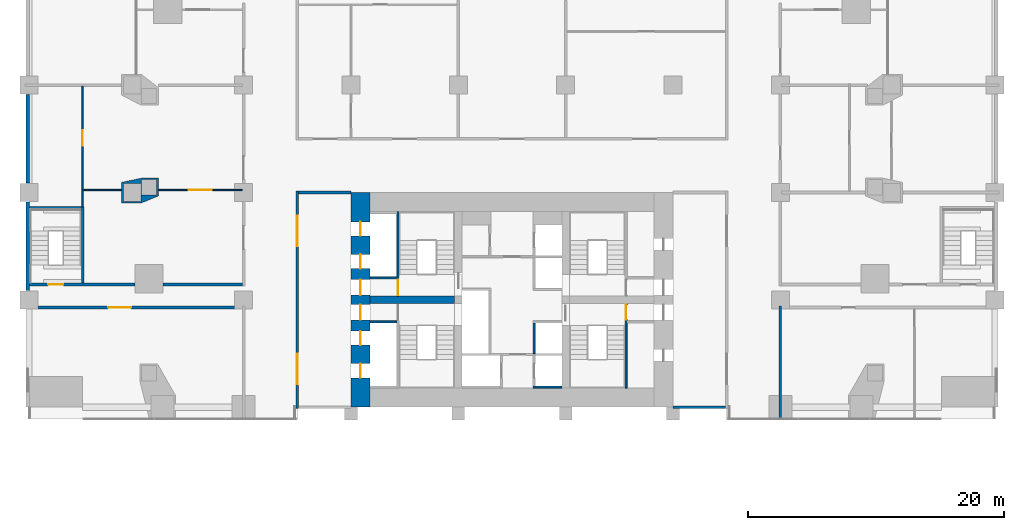
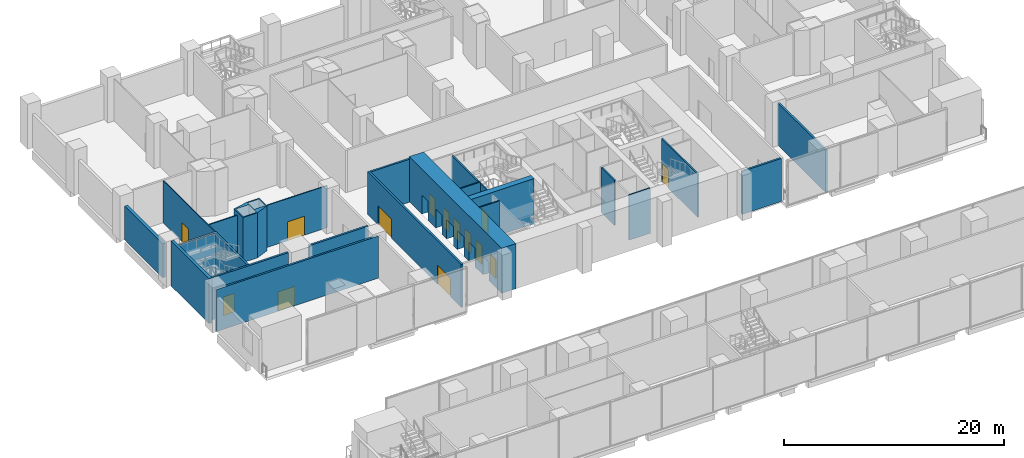
# One storey, part 12 of 24: 23 walls, 14 doors, 14 openings.
"""IFC4 building model written with IfcOpenShell, lengths in metres."""

from ifc_helpers import new_model, si_unit, direction, frame, frame_2d, origin, place, context, subcontext, project, spatial, polyline, rectangle, outline, extrude, material, layer, layer_set, type_object, element, fill, save


model = new_model("IFC4")

# Units and contexts
model_context = context("Model", 3, precision=1e-05, world=origin(), true_north=direction((0.0, 1.0)))
body_context = subcontext(model_context, "Body", "Model", "MODEL_VIEW")
ifc_project = project(units=[si_unit("LENGTHUNIT", "METRE"), si_unit("AREAUNIT", "SQUARE_METRE"), si_unit("VOLUMEUNIT", "CUBIC_METRE"), si_unit("PLANEANGLEUNIT", "RADIAN"), si_unit("MASSUNIT", "GRAM", prefix="KILO")], contexts=[model_context])

# Site, building, storey
site_placement = place(None, origin())
site = spatial("IfcSite", under=ifc_project, at=site_placement, CompositionType="ELEMENT")
building_placement = place(site_placement, origin())
building = spatial("IfcBuilding", under=site, at=building_placement, Name="Marenta Gate Hotel Tower", CompositionType="ELEMENT")
storey_placement = place(building_placement, frame((0.0, 0.0, 8.0)))
storey = spatial("IfcBuildingStorey", under=building, at=storey_placement, Name="L01", CompositionType="ELEMENT", Elevation=8.0)

# Walls
ifc_material_1 = material(Name="Concrete C40 board-marked", Category="concrete")
ifc_layer_1 = layer(ifc_material_1, 0.300048828125)
ifc_layer_set_1 = layer_set([ifc_layer_1], Name="Concrete C40 board-marked")
wall_type_1 = type_object("IfcWallType", Name="Board-marked concrete wall 300 mm", PredefinedType="NOTDEFINED", material=ifc_layer_set_1)
wall_1_placement = place(storey_placement, frame((-37.889892578125, 24.4599609375, 0.0), z_axis=(0.0, 0.0, 1.0), x_axis=(0.0, -1.0, 0.0)))
element("IfcWall", 1, at=wall_1_placement, inside=storey, type_object=wall_type_1, Name="L01-CLD-NB-W002", PredefinedType="NOTDEFINED", context=body_context, shape_type="SweptSolid", body=[
    extrude(rectangle(XDim=6.919921875, YDim=0.300048828125, at=frame_2d((3.4599609375, 0.0))), origin(), (0.0, 0.0, 1.0), 3.780029296875),
])
wall_2_placement = place(storey_placement, frame((-37.889892578125, 16.06005859375, 0.0), z_axis=(0.0, 0.0, 1.0), x_axis=(0.0, -1.0, 0.0)))
element("IfcWall", 2, at=wall_2_placement, inside=storey, type_object=wall_type_1, Name="L01-CLD-NB-W003", PredefinedType="NOTDEFINED", context=body_context, shape_type="SweptSolid", body=[
    extrude(rectangle(XDim=6.920166015625, YDim=0.300048828125, at=frame_2d((3.4599609375, 0.0))), origin(), (0.0, 0.0, 1.0), 5.0),
])

# Wall, openings, doors
ifc_material_2 = material(Name="Concrete blockwork", Category="masonry")
ifc_layer_2 = layer(ifc_material_2, 0.199951171875)
ifc_layer_set_2 = layer_set([ifc_layer_2], Name="Concrete blockwork")
wall_type_2 = type_object("IfcWallType", Name="Core boundary wall 200 REI 180", PredefinedType="PARTITIONING", material=ifc_layer_set_2)
wall_3_placement = place(storey_placement, frame((-16.800048828125, -0.10009765625, 0.0), z_axis=(0.0, 0.0, 1.0), x_axis=(0.0, 1.0, 0.0)))
wall_3 = element("IfcWall", 3, at=wall_3_placement, inside=storey, type_object=wall_type_2, Name="L01-CP-BW-W", PredefinedType="PARTITIONING", context=body_context, shape_type="SweptSolid", body=[
    extrude(rectangle(XDim=17.0, YDim=0.199951171875, at=frame_2d((8.5, 0.0))), origin(), (0.0, 0.0, 1.0), 4.780029296875),
])
opening_1_placement = place(wall_3_placement, frame((1.89990234375, 0.0, 0.0)))
opening_1 = element("IfcOpeningElement", 4, at=opening_1_placement, cuts=wall_3, Name="Opening ED-Wa-A", PredefinedType="OPENING", context=body_context, shape_type="SweptSolid", body=[
    extrude(rectangle(XDim=2.39990234375, YDim=2.10009765625, at=frame_2d((1.199951171875, 1.050048828125))), frame((0.0, 0.10009765625, 0.0), z_axis=(0.0, -1.0, 0.0), x_axis=(1.0, 0.0, 0.0)), (0.0, 0.0, 1.0), 0.199951171875),
])
opening_2_placement = place(wall_3_placement, frame((12.699951171875, 0.0, 0.0)))
opening_2 = element("IfcOpeningElement", 5, at=opening_2_placement, cuts=wall_3, Name="Opening ED-Wb-A", PredefinedType="OPENING", context=body_context, shape_type="SweptSolid", body=[
    extrude(rectangle(XDim=2.39990234375, YDim=2.10009765625, at=frame_2d((1.199951171875, 1.050048828125))), frame((0.0, 0.10009765625, 0.0), z_axis=(0.0, -1.0, 0.0), x_axis=(1.0, 0.0, 0.0)), (0.0, 0.0, 1.0), 0.199951171875),
])
ifc_material_3 = material(Name="Steel", Category="steel")
door_type_1 = type_object("IfcDoorType", Name="Core lobby entrance door 2400x2100 EI 60", OperationType="DOUBLE_DOOR_SINGLE_SWING", PredefinedType="DOOR", material=ifc_material_3)
door_1_placement = place(opening_1_placement, origin())
door_1 = element("IfcDoor", 6, at=door_1_placement, inside=storey, type_object=door_type_1, Name="ED-Wa-A", OperationType="DOUBLE_DOOR_SINGLE_SWING", OverallHeight=2.10009765625, OverallWidth=2.39990234375, PredefinedType="DOOR", context=body_context, shape_type="SweptSolid", body=[
    extrude(rectangle(XDim=2.39990234375, YDim=2.10009765625, at=frame_2d((1.199951171875, 1.050048828125))), frame((0.0, 0.02490234375, 0.0), z_axis=(0.0, -1.0, 0.0), x_axis=(1.0, 0.0, 0.0)), (0.0, 0.0, 1.0), 0.050048828125),
])
fill(opening_1, door_1)
door_2_placement = place(opening_2_placement, origin())
door_2 = element("IfcDoor", 7, at=door_2_placement, inside=storey, type_object=door_type_1, Name="ED-Wb-A", OperationType="DOUBLE_DOOR_SINGLE_SWING", OverallHeight=2.10009765625, OverallWidth=2.39990234375, PredefinedType="DOOR", context=body_context, shape_type="SweptSolid", body=[
    extrude(rectangle(XDim=2.39990234375, YDim=2.10009765625, at=frame_2d((1.199951171875, 1.050048828125))), frame((0.0, 0.02490234375, 0.0), z_axis=(0.0, -1.0, 0.0), x_axis=(1.0, 0.0, 0.0)), (0.0, 0.0, 1.0), 0.050048828125),
])
fill(opening_2, door_2)

# Walls
for number, where, z_axis, x_axis, name in (
    (8, (-16.699951171875, 16.800048828125, 0.0), (0.0, 0.0, 1.0), (1.0, 0.0, 0.0), "L01-CP-EW-WN"),
    (9, (12.60009765625, 0.0, 0.0), (0.0, 0.0, 1.0), (1.0, 0.0, 0.0), "L01-CP-EW-ES"),
):
    element("IfcWall", number, at=place(storey_placement, frame(where, z_axis=z_axis, x_axis=x_axis)), inside=storey, type_object=wall_type_2, Name=name, PredefinedType="PARTITIONING", context=body_context, shape_type="SweptSolid", body=[
        extrude(rectangle(XDim=4.099853515625, YDim=0.199951171875, at=frame_2d((2.0498046875, 0.0))), origin(), (0.0, 0.0, 1.0), 4.780029296875),
    ])
ifc_material_4 = material(Name="Concrete C40", Category="concrete")
ifc_layer_3 = layer(ifc_material_4, 0.14990234375)
ifc_layer_set_3 = layer_set([ifc_layer_3], Name="Concrete C40")
wall_type_3 = type_object("IfcWallType", Name="Core shaft wall 150 REI 180", PredefinedType="SHEAR", material=ifc_layer_set_3)
for number, where, z_axis, x_axis, name in (
    (10, (-11.10009765625, 6.675048828125, 0.0), (0.0, 0.0, 1.0), (1.0, 0.0, 0.0), "L01-SHF-SW-WS-2"),
    (11, (-11.10009765625, 10.125, 0.0), (0.0, 0.0, 1.0), (1.0, 0.0, 0.0), "L01-SHF-SW-WN-2"),
):
    element("IfcWall", number, at=place(storey_placement, frame(where, z_axis=z_axis, x_axis=x_axis)), inside=storey, type_object=wall_type_3, Name=name, PredefinedType="SHEAR", context=body_context, shape_type="SweptSolid", body=[
        extrude(rectangle(XDim=2.10009765625, YDim=0.14990234375, at=frame_2d((1.050048828125, 0.0))), origin(), (0.0, 0.0, 1.0), 5.0),
    ])
wall_4_placement = place(storey_placement, frame((1.64990234375, 1.574951171875, 0.0), z_axis=(0.0, 0.0, 1.0), x_axis=(1.0, 0.0, 0.0)))
element("IfcWall", 12, at=wall_4_placement, inside=storey, type_object=wall_type_3, Name="L01-SHF-CE-S-bot", PredefinedType="SHEAR", context=body_context, shape_type="SweptSolid", body=[
    extrude(rectangle(XDim=2.25, YDim=0.14990234375, at=frame_2d((1.125, 0.0))), origin(), (0.0, 0.0, 1.0), 5.0),
])
wall_5_placement = place(storey_placement, frame((1.72509765625, 4.199951171875, 0.0), z_axis=(0.0, 0.0, 1.0), x_axis=(0.0, 1.0, 0.0)))
element("IfcWall", 13, at=wall_5_placement, inside=storey, type_object=wall_type_3, Name="L01-SHF-CE-front-1", PredefinedType="SHEAR", context=body_context, shape_type="SweptSolid", body=[
    extrude(rectangle(XDim=2.400146484375, YDim=0.14990234375, at=frame_2d((1.2001953125, 0.0))), origin(), (0.0, 0.0, 1.0), 5.0),
])

# Wall, opening, door
ifc_material_5 = material(Name="Concrete C40", Category="concrete")
ifc_layer_4 = layer(ifc_material_5, 0.14990234375)
ifc_layer_set_4 = layer_set([ifc_layer_4], Name="Concrete C40")
wall_type_4 = type_object("IfcWallType", Name="Core stair enclosure wall 150 REI 180", PredefinedType="SHEAR", material=ifc_layer_set_4)
wall_6_placement = place(storey_placement, frame((-8.925048828125, 8.699951171875, 0.0), z_axis=(0.0, 0.0, 1.0), x_axis=(0.0, 1.0, 0.0)))
wall_6 = element("IfcWall", 14, at=wall_6_placement, inside=storey, type_object=wall_type_4, Name="L01-SHF-SW-WN-3", PredefinedType="SHEAR", context=body_context, shape_type="SweptSolid", body=[
    extrude(rectangle(XDim=6.60009765625, YDim=0.14990234375, at=frame_2d((3.300048828125, 0.0))), origin(), (0.0, 0.0, 1.0), 4.780029296875),
])
opening_3_placement = place(wall_6_placement, frame((0.074951171875, 0.0, 0.0)))
opening_3 = element("IfcOpeningElement", 15, at=opening_3_placement, cuts=wall_6, Name="Opening SD-WN", PredefinedType="OPENING", context=body_context, shape_type="SweptSolid", body=[
    extrude(rectangle(XDim=1.199951171875, YDim=2.10009765625, at=frame_2d((0.60009765625, 1.050048828125))), frame((0.0, 0.074951171875, 0.0), z_axis=(0.0, -1.0, 0.0), x_axis=(1.0, 0.0, 0.0)), (0.0, 0.0, 1.0), 0.14990234375),
])
ifc_material_6 = material(Name="Steel", Category="steel")
door_type_2 = type_object("IfcDoorType", Name="Core stair door 1200x2100 FD60", OperationType="SINGLE_SWING_LEFT", PredefinedType="DOOR", material=ifc_material_6)
door_3_placement = place(opening_3_placement, origin())
door_3 = element("IfcDoor", 16, at=door_3_placement, inside=storey, type_object=door_type_2, Name="SD-WN", OperationType="SINGLE_SWING_LEFT", OverallHeight=2.10009765625, OverallWidth=1.199951171875, PredefinedType="DOOR", context=body_context, shape_type="SweptSolid", body=[
    extrude(rectangle(XDim=1.199951171875, YDim=2.10009765625, at=frame_2d((0.60009765625, 1.050048828125))), frame((0.0, 0.02490234375, 0.0), z_axis=(0.0, -1.0, 0.0), x_axis=(1.0, 0.0, 0.0)), (0.0, 0.0, 1.0), 0.050048828125),
])
fill(opening_3, door_3)

wall_7_placement = place(storey_placement, frame((8.925048828125, 1.5, 0.0), z_axis=(0.0, 0.0, 1.0), x_axis=(0.0, 1.0, 0.0)))
wall_7 = element("IfcWall", 17, at=wall_7_placement, inside=storey, type_object=wall_type_4, Name="L01-SHF-SW-ES-3", PredefinedType="SHEAR", context=body_context, shape_type="SweptSolid", body=[
    extrude(rectangle(XDim=6.60009765625, YDim=0.14990234375, at=frame_2d((3.300048828125, 0.0))), origin(), (0.0, 0.0, 1.0), 4.780029296875),
])
opening_4_placement = place(wall_7_placement, frame((5.324951171875, 0.0, 0.0)))
opening_4 = element("IfcOpeningElement", 18, at=opening_4_placement, cuts=wall_7, Name="Opening SD-ES", PredefinedType="OPENING", context=body_context, shape_type="SweptSolid", body=[
    extrude(rectangle(XDim=1.199951171875, YDim=2.10009765625, at=frame_2d((0.60009765625, 1.050048828125))), frame((0.0, 0.074951171875, 0.0), z_axis=(0.0, -1.0, 0.0), x_axis=(1.0, 0.0, 0.0)), (0.0, 0.0, 1.0), 0.14990234375),
])
door_4_placement = place(opening_4_placement, origin())
door_4 = element("IfcDoor", 19, at=door_4_placement, inside=storey, type_object=door_type_2, Name="SD-ES", OperationType="SINGLE_SWING_LEFT", OverallHeight=2.10009765625, OverallWidth=1.199951171875, PredefinedType="DOOR", context=body_context, shape_type="SweptSolid", body=[
    extrude(rectangle(XDim=1.199951171875, YDim=2.10009765625, at=frame_2d((0.60009765625, 1.050048828125))), frame((0.0, 0.02490234375, 0.0), z_axis=(0.0, -1.0, 0.0), x_axis=(1.0, 0.0, 0.0)), (0.0, 0.0, 1.0), 0.050048828125),
])
fill(opening_4, door_4)

# Wall, openings, doors
ifc_material_7 = material(Name="Concrete C80", Category="concrete")
ifc_layer_5 = layer(ifc_material_7, 1.5)
ifc_layer_set_5 = layer_set([ifc_layer_5], Name="Concrete C80")
wall_type_5 = type_object("IfcWallType", Name="Core wall 1500 C80", PredefinedType="SHEAR", material=ifc_layer_set_5)
wall_8_placement = place(storey_placement, frame((-11.85009765625, 0.0, 0.0), z_axis=(0.0, 0.0, 1.0), x_axis=(0.0, 1.0, 0.0)))
wall_8 = element("IfcWall", 20, at=wall_8_placement, inside=storey, type_object=wall_type_5, Name="L01-CORE-W", PredefinedType="SHEAR", context=body_context, shape_type="SweptSolid", body=[
    extrude(rectangle(XDim=16.800048828125, YDim=1.5, at=frame_2d((8.39990234375, 0.0))), origin(), (0.0, 0.0, 1.0), 5.0),
])
opening_5_placement = place(wall_8_placement, frame((2.300048828125, 0.0, 0.0)))
opening_5 = element("IfcOpeningElement", 21, at=opening_5_placement, cuts=wall_8, Name="Opening LD-LR1", PredefinedType="OPENING", context=body_context, shape_type="SweptSolid", body=[
    extrude(rectangle(XDim=1.10009765625, YDim=2.10009765625, at=frame_2d((0.550048828125, 1.050048828125))), frame((0.0, 0.75, 0.0), z_axis=(0.0, -1.0, 0.0), x_axis=(1.0, 0.0, 0.0)), (0.0, 0.0, 1.0), 1.5),
])
opening_6_placement = place(wall_8_placement, frame((4.85009765625, 0.0, 0.0)))
opening_6 = element("IfcOpeningElement", 22, at=opening_6_placement, cuts=wall_8, Name="Opening LD-LR2", PredefinedType="OPENING", context=body_context, shape_type="SweptSolid", body=[
    extrude(rectangle(XDim=1.10009765625, YDim=2.10009765625, at=frame_2d((0.550048828125, 1.050048828125))), frame((0.0, 0.75, 0.0), z_axis=(0.0, -1.0, 0.0), x_axis=(1.0, 0.0, 0.0)), (0.0, 0.0, 1.0), 1.5),
])
opening_7_placement = place(wall_8_placement, frame((6.824951171875, 0.0, 0.0)))
opening_7 = element("IfcOpeningElement", 23, at=opening_7_placement, cuts=wall_8, Name="Opening PD-WS", PredefinedType="OPENING", context=body_context, shape_type="SweptSolid", body=[
    extrude(rectangle(XDim=1.199951171875, YDim=2.10009765625, at=frame_2d((0.60009765625, 1.050048828125))), frame((0.0, 0.75, 0.0), z_axis=(0.0, -1.0, 0.0), x_axis=(1.0, 0.0, 0.0)), (0.0, 0.0, 1.0), 1.5),
])
opening_8_placement = place(wall_8_placement, frame((13.39990234375, 0.0, 0.0)))
opening_8 = element("IfcOpeningElement", 24, at=opening_8_placement, cuts=wall_8, Name="Opening LD-LR4", PredefinedType="OPENING", context=body_context, shape_type="SweptSolid", body=[
    extrude(rectangle(XDim=1.10009765625, YDim=2.10009765625, at=frame_2d((0.550048828125, 1.050048828125))), frame((0.0, 0.75, 0.0), z_axis=(0.0, -1.0, 0.0), x_axis=(1.0, 0.0, 0.0)), (0.0, 0.0, 1.0), 1.5),
])
opening_9_placement = place(wall_8_placement, frame((10.85009765625, 0.0, 0.0)))
opening_9 = element("IfcOpeningElement", 25, at=opening_9_placement, cuts=wall_8, Name="Opening LD-LR3", PredefinedType="OPENING", context=body_context, shape_type="SweptSolid", body=[
    extrude(rectangle(XDim=1.10009765625, YDim=2.10009765625, at=frame_2d((0.550048828125, 1.050048828125))), frame((0.0, 0.75, 0.0), z_axis=(0.0, -1.0, 0.0), x_axis=(1.0, 0.0, 0.0)), (0.0, 0.0, 1.0), 1.5),
])
opening_10_placement = place(wall_8_placement, frame((8.77490234375, 0.0, 0.0)))
opening_10 = element("IfcOpeningElement", 26, at=opening_10_placement, cuts=wall_8, Name="Opening PD-WN", PredefinedType="OPENING", context=body_context, shape_type="SweptSolid", body=[
    extrude(rectangle(XDim=1.199951171875, YDim=2.10009765625, at=frame_2d((0.60009765625, 1.050048828125))), frame((0.0, 0.75, 0.0), z_axis=(0.0, -1.0, 0.0), x_axis=(1.0, 0.0, 0.0)), (0.0, 0.0, 1.0), 1.5),
])
ifc_material_8 = material(Name="Steel", Category="steel")
door_type_3 = type_object("IfcDoorType", Name="Core lift landing door 1100x2100 E 60", OperationType="SLIDING_TO_LEFT", PredefinedType="DOOR", material=ifc_material_8)
door_5_placement = place(opening_5_placement, origin())
door_5 = element("IfcDoor", 27, at=door_5_placement, inside=storey, type_object=door_type_3, Name="LD-LR1", OperationType="SLIDING_TO_LEFT", OverallHeight=2.10009765625, OverallWidth=1.10009765625, PredefinedType="DOOR", context=body_context, shape_type="SweptSolid", body=[
    extrude(rectangle(XDim=1.10009765625, YDim=2.10009765625, at=frame_2d((0.550048828125, 1.050048828125))), frame((0.0, 0.02490234375, 0.0), z_axis=(0.0, -1.0, 0.0), x_axis=(1.0, 0.0, 0.0)), (0.0, 0.0, 1.0), 0.050048828125),
])
fill(opening_5, door_5)
door_6_placement = place(opening_6_placement, origin())
door_6 = element("IfcDoor", 28, at=door_6_placement, inside=storey, type_object=door_type_3, Name="LD-LR2", OperationType="SLIDING_TO_LEFT", OverallHeight=2.10009765625, OverallWidth=1.10009765625, PredefinedType="DOOR", context=body_context, shape_type="SweptSolid", body=[
    extrude(rectangle(XDim=1.10009765625, YDim=2.10009765625, at=frame_2d((0.550048828125, 1.050048828125))), frame((0.0, 0.02490234375, 0.0), z_axis=(0.0, -1.0, 0.0), x_axis=(1.0, 0.0, 0.0)), (0.0, 0.0, 1.0), 0.050048828125),
])
fill(opening_6, door_6)
door_7_placement = place(opening_8_placement, origin())
door_7 = element("IfcDoor", 29, at=door_7_placement, inside=storey, type_object=door_type_3, Name="LD-LR4", OperationType="SLIDING_TO_LEFT", OverallHeight=2.10009765625, OverallWidth=1.10009765625, PredefinedType="DOOR", context=body_context, shape_type="SweptSolid", body=[
    extrude(rectangle(XDim=1.10009765625, YDim=2.10009765625, at=frame_2d((0.550048828125, 1.050048828125))), frame((0.0, 0.02490234375, 0.0), z_axis=(0.0, -1.0, 0.0), x_axis=(1.0, 0.0, 0.0)), (0.0, 0.0, 1.0), 0.050048828125),
])
fill(opening_8, door_7)
door_8_placement = place(opening_9_placement, origin())
door_8 = element("IfcDoor", 30, at=door_8_placement, inside=storey, type_object=door_type_3, Name="LD-LR3", OperationType="SLIDING_TO_LEFT", OverallHeight=2.10009765625, OverallWidth=1.10009765625, PredefinedType="DOOR", context=body_context, shape_type="SweptSolid", body=[
    extrude(rectangle(XDim=1.10009765625, YDim=2.10009765625, at=frame_2d((0.550048828125, 1.050048828125))), frame((0.0, 0.02490234375, 0.0), z_axis=(0.0, -1.0, 0.0), x_axis=(1.0, 0.0, 0.0)), (0.0, 0.0, 1.0), 0.050048828125),
])
fill(opening_9, door_8)
ifc_material_9 = material(Name="Steel", Category="steel")
door_type_4 = type_object("IfcDoorType", Name="Core lobby door 1200x2100 FD60", OperationType="SINGLE_SWING_LEFT", PredefinedType="DOOR", material=ifc_material_9)
door_9_placement = place(opening_7_placement, origin())
door_9 = element("IfcDoor", 31, at=door_9_placement, inside=storey, type_object=door_type_4, Name="PD-WS", OperationType="SINGLE_SWING_LEFT", OverallHeight=2.10009765625, OverallWidth=1.199951171875, PredefinedType="DOOR", context=body_context, shape_type="SweptSolid", body=[
    extrude(rectangle(XDim=1.199951171875, YDim=2.10009765625, at=frame_2d((0.60009765625, 1.050048828125))), frame((0.0, 0.02490234375, 0.0), z_axis=(0.0, -1.0, 0.0), x_axis=(1.0, 0.0, 0.0)), (0.0, 0.0, 1.0), 0.050048828125),
])
fill(opening_7, door_9)
door_10_placement = place(opening_10_placement, origin())
door_10 = element("IfcDoor", 32, at=door_10_placement, inside=storey, type_object=door_type_4, Name="PD-WN", OperationType="SINGLE_SWING_LEFT", OverallHeight=2.10009765625, OverallWidth=1.199951171875, PredefinedType="DOOR", context=body_context, shape_type="SweptSolid", body=[
    extrude(rectangle(XDim=1.199951171875, YDim=2.10009765625, at=frame_2d((0.60009765625, 1.050048828125))), frame((0.0, 0.02490234375, 0.0), z_axis=(0.0, -1.0, 0.0), x_axis=(1.0, 0.0, 0.0)), (0.0, 0.0, 1.0), 0.050048828125),
])
fill(opening_10, door_10)

# Walls
ifc_material_10 = material(Name="Concrete C80", Category="concrete")
ifc_layer_6 = layer(ifc_material_10, 0.60009765625)
ifc_layer_set_6 = layer_set([ifc_layer_6], Name="Concrete C80")
wall_type_6 = type_object("IfcWallType", Name="Core web 600 C80", PredefinedType="SHEAR", material=ifc_layer_set_6)
wall_9_placement = place(storey_placement, frame((-11.10009765625, 8.39990234375, 0.0), z_axis=(0.0, 0.0, 1.0), x_axis=(1.0, 0.0, 0.0)))
element("IfcWall", 33, at=wall_9_placement, inside=storey, type_object=wall_type_6, Name="L01-CORE-W3", PredefinedType="SHEAR", context=body_context, shape_type="SweptSolid", body=[
    extrude(rectangle(XDim=6.60009765625, YDim=0.60009765625, at=frame_2d((3.300048828125, 0.0))), origin(), (0.0, 0.0, 1.0), 5.0),
])
ifc_material_11 = material(Name="Concrete C70", Category="concrete")
ifc_layer_7 = layer(ifc_material_11, 1.60009765625)
ifc_layer_set_7 = layer_set([ifc_layer_7], Name="Concrete C70")
wall_type_7 = type_object("IfcWallType", Name="Pier wall board-marked concrete C70", PredefinedType="SOLIDWALL", material=ifc_layer_set_7)
wall_10_placement = place(storey_placement, origin())
element("IfcWall", 34, at=wall_10_placement, inside=storey, type_object=wall_type_7, Name="L01-PIER-2", PredefinedType="SOLIDWALL", context=body_context, shape_type="SweptSolid", body=[
    extrude(outline(polyline([(-30.5400390625, 17.59716796875), (-29.0126953125, 17.923095703125), (-27.679931640625, 17.923095703125), (-27.679931640625, 16.52294921875), (-28.996337890625, 15.97998046875), (-30.5400390625, 15.97998046875), (-30.5400390625, 17.59716796875)]), holes=[polyline([(-29.0, 16.603271484375), (-27.800048828125, 16.603271484375), (-27.800048828125, 17.80322265625), (-29.0, 17.80322265625), (-29.0, 16.603271484375)]), polyline([(-30.419921875, 16.10009765625), (-29.02001953125, 16.10009765625), (-29.02001953125, 17.5), (-30.419921875, 17.5), (-30.419921875, 16.10009765625)])]), origin(), (0.0, 0.0, 1.0), 5.0),
])
ifc_material_12 = material(Name="Gypsum board on steel stud", Category="steel")
ifc_layer_8 = layer(ifc_material_12, 0.199951171875)
ifc_layer_set_8 = layer_set([ifc_layer_8], Name="Gypsum board on steel stud")
wall_type_8 = type_object("IfcWallType", Name="Room corridor wall 200 EI 60", PredefinedType="PARTITIONING", material=ifc_layer_set_8)
wall_11_placement = place(storey_placement, frame((21.0, -0.89404296875, 0.0), z_axis=(0.0, 0.0, 1.0), x_axis=(0.0, 1.0, 0.0)))
element("IfcWall", 35, at=wall_11_placement, inside=storey, type_object=wall_type_8, Name="L01-PTN-W013", PredefinedType="PARTITIONING", context=body_context, shape_type="SweptSolid", body=[
    extrude(rectangle(XDim=8.7939453125, YDim=0.199951171875, at=frame_2d((4.39697265625, 0.0))), origin(), (0.0, 0.0, 1.0), 4.679931640625),
])

# Wall, opening, door
ifc_material_13 = material(Name="Concrete blockwork", Category="masonry")
ifc_layer_9 = layer(ifc_material_13, 0.199951171875)
ifc_layer_set_9 = layer_set([ifc_layer_9], Name="Concrete blockwork")
wall_type_9 = type_object("IfcWallType", Name="Room corridor wall 200 REI 180", PredefinedType="PARTITIONING", material=ifc_layer_set_9)
wall_12_placement = place(storey_placement, frame((-38.10009765625, 7.800048828125, 0.0), z_axis=(0.0, 0.0, 1.0), x_axis=(1.0, 0.0, 0.0)))
wall_12 = element("IfcWall", 36, at=wall_12_placement, inside=storey, type_object=wall_type_9, Name="L01-PTN-W031", PredefinedType="PARTITIONING", context=body_context, shape_type="SweptSolid", body=[
    extrude(rectangle(XDim=17.0, YDim=0.199951171875, at=frame_2d((8.5, 0.0))), origin(), (0.0, 0.0, 1.0), 4.679931640625),
])
opening_11_placement = place(wall_12_placement, frame((6.5, 0.0, 0.0)))
opening_11 = element("IfcOpeningElement", 37, at=opening_11_placement, cuts=wall_12, Name="Opening S02-03", PredefinedType="OPENING", context=body_context, shape_type="SweptSolid", body=[
    extrude(rectangle(XDim=1.800048828125, YDim=2.10009765625, at=frame_2d((0.89990234375, 1.050048828125))), frame((0.0, 0.10009765625, 0.0), z_axis=(0.0, -1.0, 0.0), x_axis=(1.0, 0.0, 0.0)), (0.0, 0.0, 1.0), 0.199951171875),
])
ifc_material_14 = material(Name="Timber door leaf", Category="wood")
door_type_5 = type_object("IfcDoorType", Name="Room amenity door 1800x2100 EI 60", OperationType="DOUBLE_DOOR_SINGLE_SWING", PredefinedType="DOOR", material=ifc_material_14)
door_11_placement = place(opening_11_placement, origin())
door_11 = element("IfcDoor", 38, at=door_11_placement, inside=storey, type_object=door_type_5, Name="L01-PD-D003", OperationType="DOUBLE_DOOR_SINGLE_SWING", OverallHeight=2.10009765625, OverallWidth=1.800048828125, PredefinedType="DOOR", context=body_context, shape_type="SweptSolid", body=[
    extrude(rectangle(XDim=1.800048828125, YDim=2.10009765625, at=frame_2d((0.89990234375, 1.050048828125))), frame((0.0, 0.02490234375, 0.0), z_axis=(0.0, -1.0, 0.0), x_axis=(1.0, 0.0, 0.0)), (0.0, 0.0, 1.0), 0.050048828125),
])
fill(opening_11, door_11)

wall_13_placement = place(storey_placement, frame((-37.739990234375, 9.60009765625, 0.0), z_axis=(0.0, 0.0, 1.0), x_axis=(1.0, 0.0, 0.0)))
wall_13 = element("IfcWall", 39, at=wall_13_placement, inside=storey, type_object=wall_type_9, Name="L01-PTN-W033", PredefinedType="PARTITIONING", context=body_context, shape_type="SweptSolid", body=[
    extrude(rectangle(XDim=8.239990234375, YDim=0.199951171875, at=frame_2d((4.1201171875, 0.0))), origin(), (0.0, 0.0, 1.0), 4.679931640625),
])
opening_12_placement = place(wall_13_placement, frame((1.43994140625, 0.0, 0.0)))
opening_12 = element("IfcOpeningElement", 40, at=opening_12_placement, cuts=wall_13, Name="Opening S02-36", PredefinedType="OPENING", context=body_context, shape_type="SweptSolid", body=[
    extrude(rectangle(XDim=1.199951171875, YDim=2.10009765625, at=frame_2d((0.60009765625, 1.050048828125))), frame((0.0, 0.10009765625, 0.0), z_axis=(0.0, -1.0, 0.0), x_axis=(1.0, 0.0, 0.0)), (0.0, 0.0, 1.0), 0.199951171875),
])
ifc_material_15 = material(Name="Hollow steel door set", Category="steel")
door_type_6 = type_object("IfcDoorType", Name="Podium stair door 1200x2100 EI 60", OperationType="NOTDEFINED", PredefinedType="DOOR", material=ifc_material_15)
door_12_placement = place(opening_12_placement, origin())
door_12 = element("IfcDoor", 41, at=door_12_placement, inside=storey, type_object=door_type_6, Name="L01-PD-D036", OperationType="SINGLE_SWING_RIGHT", OverallHeight=2.10009765625, OverallWidth=1.199951171875, PredefinedType="DOOR", context=body_context, shape_type="SweptSolid", body=[
    extrude(rectangle(XDim=1.199951171875, YDim=2.10009765625, at=frame_2d((0.60009765625, 1.050048828125))), frame((0.0, 0.02490234375, 0.0), z_axis=(0.0, -1.0, 0.0), x_axis=(1.0, 0.0, 0.0)), (0.0, 0.0, 1.0), 0.050048828125),
])
fill(opening_12, door_12)

# Walls
wall_14_placement = place(storey_placement, frame((-27.300048828125, 9.60009765625, 0.0), z_axis=(0.0, 0.0, 1.0), x_axis=(1.0, 0.0, 0.0)))
element("IfcWall", 42, at=wall_14_placement, inside=storey, type_object=wall_type_9, Name="L01-PTN-W034", PredefinedType="PARTITIONING", context=body_context, shape_type="SweptSolid", body=[
    extrude(rectangle(XDim=6.199951171875, YDim=0.199951171875, at=frame_2d((3.10009765625, 0.0))), origin(), (0.0, 0.0, 1.0), 4.679931640625),
])
ifc_material_16 = material(Name="Gypsum board on steel stud", Category="steel")
ifc_layer_10 = layer(ifc_material_16, 0.10009765625)
ifc_layer_set_10 = layer_set([ifc_layer_10], Name="Gypsum board on steel stud")
wall_type_10 = type_object("IfcWallType", Name="Room partition 100", PredefinedType="PARTITIONING", material=ifc_layer_set_10)
wall_15_placement = place(storey_placement, frame((-33.550048828125, 17.0, 0.0), z_axis=(0.0, 0.0, 1.0), x_axis=(1.0, 0.0, 0.0)))
element("IfcWall", 43, at=wall_15_placement, inside=storey, type_object=wall_type_10, Name="L01-PTN-W046", PredefinedType="PARTITIONING", context=body_context, shape_type="SweptSolid", body=[
    extrude(rectangle(XDim=2.989990234375, YDim=0.10009765625, at=frame_2d((1.4951171875, 0.0))), origin(), (0.0, 0.0, 1.0), 4.679931640625),
])

# Wall, opening, door
wall_16_placement = place(storey_placement, frame((-27.659912109375, 17.0, 0.0), z_axis=(0.0, 0.0, 1.0), x_axis=(1.0, 0.0, 0.0)))
wall_16 = element("IfcWall", 44, at=wall_16_placement, inside=storey, type_object=wall_type_10, Name="L01-PTN-W047", PredefinedType="PARTITIONING", context=body_context, shape_type="SweptSolid", body=[
    extrude(rectangle(XDim=6.559814453125, YDim=0.10009765625, at=frame_2d((3.27978515625, 0.0))), origin(), (0.0, 0.0, 1.0), 4.679931640625),
])
opening_13_placement = place(wall_16_placement, frame((2.3798828125, 0.0, 0.0)))
opening_13 = element("IfcOpeningElement", 45, at=opening_13_placement, cuts=wall_16, Name="Opening S02-39", PredefinedType="OPENING", context=body_context, shape_type="SweptSolid", body=[
    extrude(rectangle(XDim=1.800048828125, YDim=2.10009765625, at=frame_2d((0.89990234375, 1.050048828125))), frame((0.0, 0.050048828125, 0.0), z_axis=(0.0, -1.0, 0.0), x_axis=(1.0, 0.0, 0.0)), (0.0, 0.0, 1.0), 0.10009765625),
])
ifc_material_17 = material(Name="Timber door leaf", Category="wood")
door_type_7 = type_object("IfcDoorType", Name="Room amenity door 1800x2100", OperationType="DOUBLE_DOOR_SINGLE_SWING", PredefinedType="DOOR", material=ifc_material_17)
door_13_placement = place(opening_13_placement, origin())
door_13 = element("IfcDoor", 46, at=door_13_placement, inside=storey, type_object=door_type_7, Name="L01-PD-D039", OperationType="DOUBLE_DOOR_SINGLE_SWING", OverallHeight=2.10009765625, OverallWidth=1.800048828125, PredefinedType="DOOR", context=body_context, shape_type="SweptSolid", body=[
    extrude(rectangle(XDim=1.800048828125, YDim=2.10009765625, at=frame_2d((0.89990234375, 1.050048828125))), frame((0.0, 0.02490234375, 0.0), z_axis=(0.0, -1.0, 0.0), x_axis=(1.0, 0.0, 0.0)), (0.0, 0.0, 1.0), 0.050048828125),
])
fill(opening_13, door_13)

wall_17_placement = place(storey_placement, frame((-33.60009765625, 15.699951171875, 0.0), z_axis=(0.0, 0.0, 1.0), x_axis=(0.0, 1.0, 0.0)))
wall_17 = element("IfcWall", 47, at=wall_17_placement, inside=storey, type_object=wall_type_10, Name="L01-PTN-W070", PredefinedType="PARTITIONING", context=body_context, shape_type="SweptSolid", body=[
    extrude(rectangle(XDim=9.400146484375, YDim=0.10009765625, at=frame_2d((4.7001953125, 0.0))), origin(), (0.0, 0.0, 1.0), 4.679931640625),
])
opening_14_placement = place(wall_17_placement, frame((4.77490234375, 0.0, 0.0)))
opening_14 = element("IfcOpeningElement", 48, at=opening_14_placement, cuts=wall_17, Name="Opening S02-06", PredefinedType="OPENING", context=body_context, shape_type="SweptSolid", body=[
    extrude(rectangle(XDim=1.199951171875, YDim=2.10009765625, at=frame_2d((0.60009765625, 1.050048828125))), frame((0.0, 0.050048828125, 0.0), z_axis=(0.0, -1.0, 0.0), x_axis=(1.0, 0.0, 0.0)), (0.0, 0.0, 1.0), 0.10009765625),
])
ifc_material_18 = material(Name="Hollow steel door set", Category="steel")
door_type_8 = type_object("IfcDoorType", Name="Kitchen room door 1200x2100", OperationType="NOTDEFINED", PredefinedType="DOOR", material=ifc_material_18)
door_14_placement = place(opening_14_placement, origin())
door_14 = element("IfcDoor", 49, at=door_14_placement, inside=storey, type_object=door_type_8, Name="L01-PD-D006", OperationType="SINGLE_SWING_LEFT", OverallHeight=2.10009765625, OverallWidth=1.199951171875, PredefinedType="DOOR", context=body_context, shape_type="SweptSolid", body=[
    extrude(rectangle(XDim=1.199951171875, YDim=2.10009765625, at=frame_2d((0.60009765625, 1.050048828125))), frame((0.0, 0.02490234375, 0.0), z_axis=(0.0, -1.0, 0.0), x_axis=(1.0, 0.0, 0.0)), (0.0, 0.0, 1.0), 0.050048828125),
])
fill(opening_14, door_14)

# Walls
ifc_material_19 = material(Name="Concrete blockwork", Category="masonry")
ifc_layer_11 = layer(ifc_material_19, 0.199951171875)
ifc_layer_set_11 = layer_set([ifc_layer_11], Name="Concrete blockwork")
wall_type_11 = type_object("IfcWallType", Name="Room party wall 200 REI 180", PredefinedType="PARTITIONING", material=ifc_layer_set_11)
wall_18_placement = place(storey_placement, frame((-37.739990234375, 15.60009765625, 0.0), z_axis=(0.0, 0.0, 1.0), x_axis=(1.0, 0.0, 0.0)))
element("IfcWall", 50, at=wall_18_placement, inside=storey, type_object=wall_type_11, Name="L01-PTN-W040", PredefinedType="PARTITIONING", context=body_context, shape_type="SweptSolid", body=[
    extrude(rectangle(XDim=4.0400390625, YDim=0.199951171875, at=frame_2d((2.02001953125, 0.0))), origin(), (0.0, 0.0, 1.0), 4.679931640625),
])
wall_19_placement = place(storey_placement, frame((-33.60009765625, 9.699951171875, 0.0), z_axis=(0.0, 0.0, 1.0), x_axis=(0.0, 1.0, 0.0)))
element("IfcWall", 51, at=wall_19_placement, inside=storey, type_object=wall_type_11, Name="L01-PTN-W068", PredefinedType="PARTITIONING", context=body_context, shape_type="SweptSolid", body=[
    extrude(rectangle(XDim=6.0, YDim=0.199951171875, at=frame_2d((3.0, 0.0))), origin(), (0.0, 0.0, 1.0), 4.679931640625),
])

save(model, "model.ifc")
